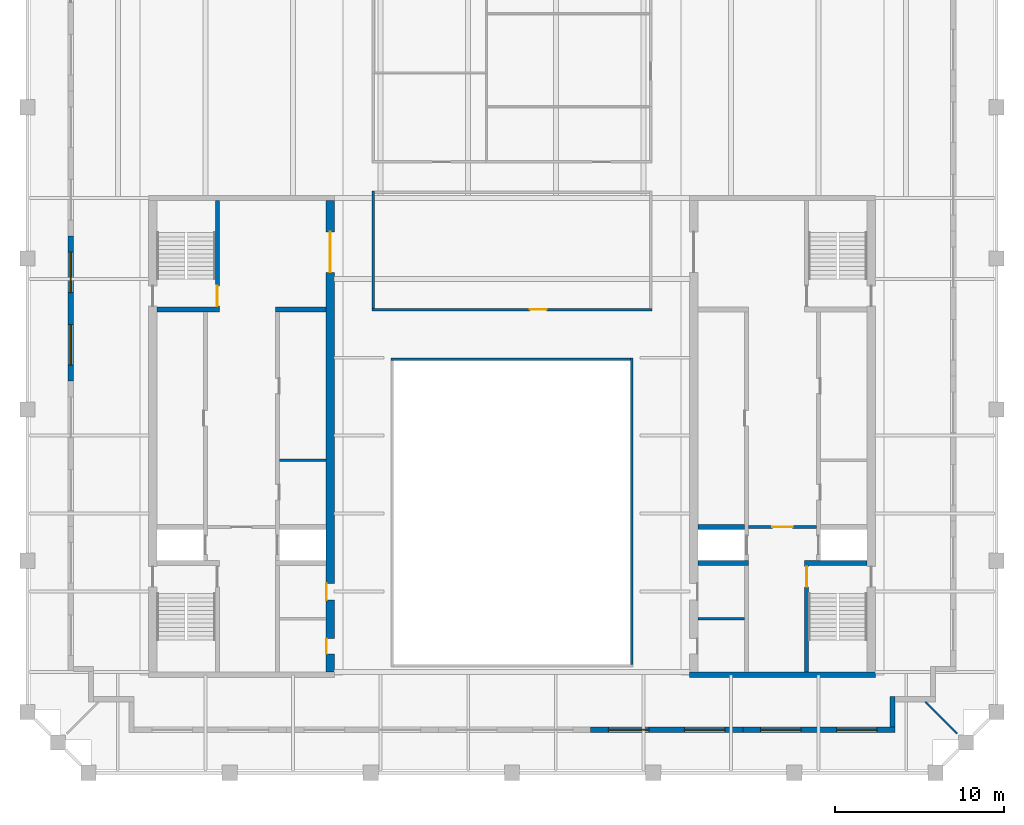
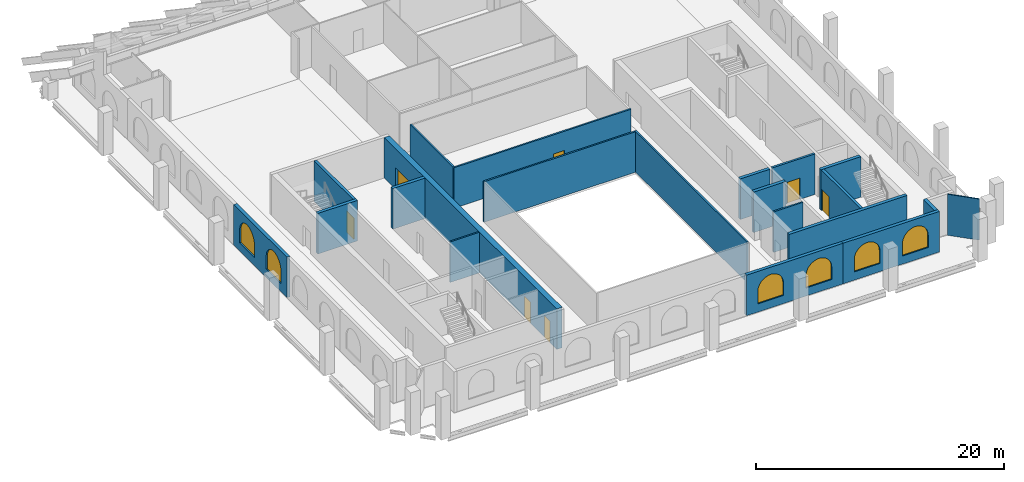
# One storey, part 4 of 9: 21 walls, 7 doors, 6 windows, 13 openings.
"""IFC4 building model written with IfcOpenShell, lengths in metres."""

from ifc_helpers import new_model, si_unit, direction, frame, frame_2d, origin, place, context, subcontext, project, spatial, polyline, rectangle, outline, extrude, material, layer, layer_set, type_object, element, fill, save


model = new_model("IFC4")

# Units and contexts
model_context = context("Model", 3, precision=1e-05, world=origin(), true_north=direction((0.0, 1.0)))
body_context = subcontext(model_context, "Body", "Model", "MODEL_VIEW")
ifc_project = project(units=[si_unit("LENGTHUNIT", "METRE"), si_unit("AREAUNIT", "SQUARE_METRE"), si_unit("VOLUMEUNIT", "CUBIC_METRE"), si_unit("PLANEANGLEUNIT", "RADIAN"), si_unit("MASSUNIT", "GRAM", prefix="KILO")], contexts=[model_context])

# Site, building, storey
site_placement = place(None, origin())
site = spatial("IfcSite", under=ifc_project, at=site_placement, CompositionType="ELEMENT")
building_placement = place(site_placement, origin())
building = spatial("IfcBuilding", under=site, at=building_placement, Name="Ogive Exchange Tower", CompositionType="ELEMENT")
storey_placement = place(building_placement, frame((0.0, 0.0, 373.199951171875)))
storey = spatial("IfcBuildingStorey", under=building, at=storey_placement, Name="C02", CompositionType="ELEMENT", Elevation=373.199951171875)

# Walls
ifc_material_1 = material(Name="Gypsum board partition")
ifc_layer_1 = layer(ifc_material_1, 0.14990234375)
ifc_layer_set_1 = layer_set([ifc_layer_1], Name="Core room partition 150 gypsum")
wall_type_1 = type_object("IfcWallType", Name="Core room partition 150 gypsum", PredefinedType="PARTITIONING", material=ifc_layer_set_1)
for number, where, z_axis, x_axis, name in (
    (1, (-13.75, 10.10009765625, 0.0), (0.0, 0.0, 1.0), (1.0, 0.0, 0.0), "W row B bay partition 1-1"),
    (2, (11.0, 0.699951171875, 0.0), (0.0, 0.0, 1.0), (1.0, 0.0, 0.0), "E south room partition"),
):
    element("IfcWall", number, at=place(storey_placement, frame(where, z_axis=z_axis, x_axis=x_axis)), inside=storey, type_object=wall_type_1, Name=name, PredefinedType="PARTITIONING", context=body_context, shape_type="SweptSolid", body=[
        extrude(rectangle(XDim=2.75, YDim=0.14990234375, at=frame_2d((1.375, 0.0))), origin(), (0.0, 0.0, 1.0), 4.0),
    ])
ifc_layer_2 = layer(ifc_material_1, 0.300048828125)
ifc_layer_set_2 = layer_set([ifc_layer_2], Name="Core room partition 300 gypsum")
wall_type_2 = type_object("IfcWallType", Name="Core room partition 300 gypsum", PredefinedType="PARTITIONING", material=ifc_layer_set_2)
wall_1_placement = place(storey_placement, frame((-14.0, 19.0, 0.0), z_axis=(0.0, 0.0, 1.0), x_axis=(1.0, 0.0, 0.0)))
element("IfcWall", 3, at=wall_1_placement, inside=storey, type_object=wall_type_2, Name="W row B room end wall 7", PredefinedType="PARTITIONING", context=body_context, shape_type="SweptSolid", body=[
    extrude(rectangle(XDim=3.0, YDim=0.300048828125, at=frame_2d((1.5, 0.0))), origin(), (0.0, 0.0, 1.0), 4.0),
])

# Wall, opening, door
ifc_material_2 = material(Name="Fire partition EI 60 150")
ifc_layer_3 = layer(ifc_material_2, 0.14990234375)
ifc_layer_set_3 = layer_set([ifc_layer_3], Name="Fire partition EI 60 150")
wall_type_3 = type_object("IfcWallType", Name="Fire partition EI 60 150", PredefinedType="PARTITIONING", material=ifc_layer_set_3)
wall_2_placement = place(storey_placement, frame((-8.27490234375, 19.0, 0.0), z_axis=(0.0, 0.0, 1.0), x_axis=(1.0, 0.0, 0.0)))
wall_2 = element("IfcWall", 4, at=wall_2_placement, inside=storey, type_object=wall_type_3, Name="C02-PWL-009", PredefinedType="PARTITIONING", context=body_context, shape_type="SweptSolid", body=[
    extrude(rectangle(XDim=16.5498046875, YDim=0.14990234375, at=frame_2d((8.27490234375, 0.0))), origin(), (0.0, 0.0, 1.0), 4.0),
])
opening_1_placement = place(wall_2_placement, frame((9.324951171875, 0.0, 0.0)))
opening_1 = element("IfcOpeningElement", 5, at=opening_1_placement, cuts=wall_2, Name="Opening C02-I11", PredefinedType="OPENING", context=body_context, shape_type="SweptSolid", body=[
    extrude(rectangle(XDim=1.0, YDim=2.10009765625, at=frame_2d((0.5, 1.050048828125))), frame((0.0, 0.0849609375, 0.0), z_axis=(0.0, -1.0, 0.0), x_axis=(1.0, 0.0, 0.0)), (0.0, 0.0, 1.0), 0.169921875),
])
ifc_material_3 = material(Name="Fire door FD 30S 1000 x 2100")
door_type_1 = type_object("IfcDoorType", Name="Fire door FD 30S 1000 x 2100", OperationType="NOTDEFINED", PredefinedType="DOOR", material=ifc_material_3)
door_1_placement = place(opening_1_placement, origin())
door_1 = element("IfcDoor", 6, at=door_1_placement, inside=storey, type_object=door_type_1, Name="C02-IDR-011", ObjectType="DT3", OperationType="SINGLE_SWING_LEFT", OverallHeight=2.10009765625, OverallWidth=1.0, PredefinedType="DOOR", context=body_context, shape_type="SweptSolid", body=[
    extrude(rectangle(XDim=1.0, YDim=2.10009765625, at=frame_2d((0.5, 1.050048828125))), frame((0.0, 0.02490234375, 0.0), z_axis=(0.0, -1.0, 0.0), x_axis=(1.0, 0.0, 0.0)), (0.0, 0.0, 1.0), 0.050048828125),
])
fill(opening_1, door_1)

# Walls
wall_3_placement = place(storey_placement, frame((-8.199951171875, 26.0048828125, 0.0), z_axis=(0.0, 0.0, 1.0), x_axis=(0.0, -1.0, 0.0)))
element("IfcWall", 7, at=wall_3_placement, inside=storey, type_object=wall_type_3, Name="C02-PWL-010", PredefinedType="PARTITIONING", context=body_context, shape_type="SweptSolid", body=[
    extrude(rectangle(XDim=6.929931640625, YDim=0.14990234375, at=frame_2d((3.46484375, 0.0))), origin(), (0.0, 0.0, 1.0), 4.0),
])
ifc_material_4 = material(Name="Fire-resisting glass in steel frame", Category="steel")
ifc_layer_4 = layer(ifc_material_4, 0.14990234375)
ifc_layer_set_4 = layer_set([ifc_layer_4], Name="Fire-rated glazed wall 150")
wall_type_4 = type_object("IfcWallType", Name="Fire-rated glazed wall 150", PredefinedType="STANDARD", material=ifc_layer_set_4)
wall_4_placement = place(storey_placement, frame((-7.14990234375, 16.074951171875, 0.0), z_axis=(0.0, 0.0, 1.0), x_axis=(1.0, 0.0, 0.0)))
element("IfcWall", 8, at=wall_4_placement, inside=storey, type_object=wall_type_4, Name="Nave enclosure wall 2", PredefinedType="STANDARD", context=body_context, shape_type="SweptSolid", body=[
    extrude(rectangle(XDim=14.14990234375, YDim=0.14990234375, at=frame_2d((7.074951171875, 0.0))), origin(), (0.0, 0.0, 1.0), 4.0),
])
wall_5_placement = place(storey_placement, frame((7.074951171875, 16.14990234375, 0.0), z_axis=(0.0, 0.0, 1.0), x_axis=(0.0, -1.0, 0.0)))
element("IfcWall", 9, at=wall_5_placement, inside=storey, type_object=wall_type_4, Name="Nave enclosure wall 3", PredefinedType="STANDARD", context=body_context, shape_type="SweptSolid", body=[
    extrude(rectangle(XDim=18.14990234375, YDim=0.14990234375, at=frame_2d((9.074951171875, 0.0))), origin(), (0.0, 0.0, 1.0), 4.0),
])
ifc_material_5 = material(Name="Laminated safety glass in steel frame", Category="steel")
ifc_layer_5 = layer(ifc_material_5, 0.10009765625)
ifc_layer_set_5 = layer_set([ifc_layer_5], Name="Loggia end screen 100")
wall_type_5 = type_object("IfcWallType", Name="Loggia end screen 100", PredefinedType="STANDARD", material=ifc_layer_set_5)
wall_6_placement = place(storey_placement, frame((24.449951171875, -4.199951171875, -0.050048828125), z_axis=(0.0, 0.0, 1.0), x_axis=(0.707106781187, -0.707106781187, 0.0)))
element("IfcWall", 10, at=wall_6_placement, inside=storey, type_object=wall_type_5, Name="Loggia end screen C1", PredefinedType="STANDARD", context=body_context, shape_type="SweptSolid", body=[
    extrude(rectangle(XDim=2.667236328125, YDim=0.10009765625, at=frame_2d((1.33349609375, 0.0))), origin(), (0.0, 0.0, 1.0), 4.050048828125),
])

# Wall, opening, door
ifc_material_6 = material(Name="Concrete C70/85", Category="concrete")
ifc_layer_6 = layer(ifc_material_6, 0.199951171875)
ifc_layer_set_6 = layer_set([ifc_layer_6], Name="RC core wall 200 C70/85")
wall_type_6 = type_object("IfcWallType", Name="RC core wall 200 C70/85", PredefinedType="SHEAR", material=ifc_layer_set_6)
wall_7_placement = place(storey_placement, frame((14.0, 6.142822265625, 0.0), z_axis=(0.0, 0.0, 1.0), x_axis=(1.0, 0.0, 0.0)))
wall_7 = element("IfcWall", 11, at=wall_7_placement, inside=storey, type_object=wall_type_6, Name="E firefighting lobby wall", PredefinedType="SHEAR", context=body_context, shape_type="SweptSolid", body=[
    extrude(rectangle(XDim=4.0, YDim=0.199951171875, at=frame_2d((2.0, 0.0))), origin(), (0.0, 0.0, 1.0), 4.0),
])
opening_2_placement = place(wall_7_placement, frame((1.39990234375, 0.0, 0.0)))
opening_2 = element("IfcOpeningElement", 12, at=opening_2_placement, cuts=wall_7, Name="Opening C02-C19", PredefinedType="OPENING", context=body_context, shape_type="SweptSolid", body=[
    extrude(rectangle(XDim=1.199951171875, YDim=2.10009765625, at=frame_2d((0.60009765625, 1.050048828125))), frame((0.0, 0.10986328125, 0.0), z_axis=(0.0, -1.0, 0.0), x_axis=(1.0, 0.0, 0.0)), (0.0, 0.0, 1.0), 0.219970703125),
])
ifc_material_7 = material(Name="Steel fire door", Category="steel")
door_type_2 = type_object("IfcDoorType", Name="Firefighting lobby door FD60 1200 x 2100", OperationType="NOTDEFINED", PredefinedType="DOOR", material=ifc_material_7)
door_2_placement = place(opening_2_placement, frame((1.199951171875, 0.0, 0.0), z_axis=(0.0, 0.0, 1.0), x_axis=(-1.0, 0.0, 0.0)))
door_2 = element("IfcDoor", 13, at=door_2_placement, inside=storey, type_object=door_type_2, Name="Firefighting lobby door", ObjectType="CD3", OperationType="SINGLE_SWING_RIGHT", OverallHeight=2.10009765625, OverallWidth=1.199951171875, PredefinedType="DOOR", context=body_context, shape_type="SweptSolid", body=[
    extrude(rectangle(XDim=1.199951171875, YDim=2.10009765625, at=frame_2d((0.60009765625, 1.050048828125))), frame((0.0, 0.02490234375, 0.0), z_axis=(0.0, -1.0, 0.0), x_axis=(1.0, 0.0, 0.0)), (0.0, 0.0, 1.0), 0.050048828125),
])
fill(opening_2, door_2)

ifc_layer_7 = layer(ifc_material_6, 0.25)
ifc_layer_set_7 = layer_set([ifc_layer_7], Name="RC core wall 250 C70/85")
wall_type_7 = type_object("IfcWallType", Name="RC core wall 250 C70/85", PredefinedType="SHEAR", material=ifc_layer_set_7)
wall_8_placement = place(storey_placement, frame((-17.425048828125, 19.14990234375, 0.0), z_axis=(0.0, 0.0, 1.0), x_axis=(0.0, 1.0, 0.0)))
wall_8 = element("IfcWall", 14, at=wall_8_placement, inside=storey, type_object=wall_type_7, Name="W stair N front wall", PredefinedType="SHEAR", context=body_context, shape_type="SweptSolid", body=[
    extrude(rectangle(XDim=6.300048828125, YDim=0.25, at=frame_2d((3.14990234375, 0.0))), origin(), (0.0, 0.0, 1.0), 4.0),
])
opening_3_placement = place(wall_8_placement, frame((0.050048828125, 0.0, 0.0)))
opening_3 = element("IfcOpeningElement", 15, at=opening_3_placement, cuts=wall_8, Name="Opening C02-C10", PredefinedType="OPENING", context=body_context, shape_type="SweptSolid", body=[
    extrude(rectangle(XDim=1.199951171875, YDim=2.10009765625, at=frame_2d((0.60009765625, 1.050048828125))), frame((0.0, 0.135009765625, 0.0), z_axis=(0.0, -1.0, 0.0), x_axis=(1.0, 0.0, 0.0)), (0.0, 0.0, 1.0), 0.27001953125),
])
door_type_3 = type_object("IfcDoorType", Name="Stair door FD90 1200 x 2100", OperationType="NOTDEFINED", PredefinedType="DOOR", material=ifc_material_7)
door_3_placement = place(opening_3_placement, origin())
door_3 = element("IfcDoor", 16, at=door_3_placement, inside=storey, type_object=door_type_3, Name="Stair door", ObjectType="CD5", OperationType="SINGLE_SWING_RIGHT", OverallHeight=2.10009765625, OverallWidth=1.199951171875, PredefinedType="DOOR", context=body_context, shape_type="SweptSolid", body=[
    extrude(rectangle(XDim=1.199951171875, YDim=2.10009765625, at=frame_2d((0.60009765625, 1.050048828125))), frame((0.0, 0.02490234375, 0.0), z_axis=(0.0, -1.0, 0.0), x_axis=(1.0, 0.0, 0.0)), (0.0, 0.0, 1.0), 0.050048828125),
])
fill(opening_3, door_3)

wall_9_placement = place(storey_placement, frame((17.425048828125, -2.449951171875, 0.0), z_axis=(0.0, 0.0, 1.0), x_axis=(0.0, 1.0, 0.0)))
wall_9 = element("IfcWall", 17, at=wall_9_placement, inside=storey, type_object=wall_type_7, Name="E stair S front wall", PredefinedType="SHEAR", context=body_context, shape_type="SweptSolid", body=[
    extrude(rectangle(XDim=6.300048828125, YDim=0.25, at=frame_2d((3.14990234375, 0.0))), origin(), (0.0, 0.0, 1.0), 4.0),
])
opening_4_placement = place(wall_9_placement, frame((5.050048828125, 0.0, 0.0)))
opening_4 = element("IfcOpeningElement", 18, at=opening_4_placement, cuts=wall_9, Name="Opening C02-C21", PredefinedType="OPENING", context=body_context, shape_type="SweptSolid", body=[
    extrude(rectangle(XDim=1.199951171875, YDim=2.10009765625, at=frame_2d((0.60009765625, 1.050048828125))), frame((0.0, 0.135009765625, 0.0), z_axis=(0.0, -1.0, 0.0), x_axis=(1.0, 0.0, 0.0)), (0.0, 0.0, 1.0), 0.27001953125),
])
door_4_placement = place(opening_4_placement, frame((1.199951171875, 0.0, 0.0), z_axis=(0.0, 0.0, 1.0), x_axis=(-1.0, 0.0, 0.0)))
door_4 = element("IfcDoor", 19, at=door_4_placement, inside=storey, type_object=door_type_3, Name="Stair door", ObjectType="CD5", OperationType="SINGLE_SWING_RIGHT", OverallHeight=2.10009765625, OverallWidth=1.199951171875, PredefinedType="DOOR", context=body_context, shape_type="SweptSolid", body=[
    extrude(rectangle(XDim=1.199951171875, YDim=2.10009765625, at=frame_2d((0.60009765625, 1.050048828125))), frame((0.0, 0.02490234375, 0.0), z_axis=(0.0, -1.0, 0.0), x_axis=(1.0, 0.0, 0.0)), (0.0, 0.0, 1.0), 0.050048828125),
])
fill(opening_4, door_4)

# Walls
ifc_layer_8 = layer(ifc_material_6, 0.300048828125)
ifc_layer_set_8 = layer_set([ifc_layer_8], Name="RC core wall 300 C70/85")
wall_type_8 = type_object("IfcWallType", Name="RC core wall 300 C70/85", PredefinedType="SHEAR", material=ifc_layer_set_8)
wall_10_placement = place(storey_placement, frame((-21.0, 19.0, 0.0), z_axis=(0.0, 0.0, 1.0), x_axis=(1.0, 0.0, 0.0)))
element("IfcWall", 20, at=wall_10_placement, inside=storey, type_object=wall_type_8, Name="W stair N south wall", PredefinedType="SHEAR", context=body_context, shape_type="SweptSolid", body=[
    extrude(rectangle(XDim=3.699951171875, YDim=0.300048828125, at=frame_2d((1.85009765625, 0.0))), origin(), (0.0, 0.0, 1.0), 4.0),
])
wall_11_placement = place(storey_placement, frame((10.5, -2.60009765625, 0.0), z_axis=(0.0, 0.0, 1.0), x_axis=(1.0, 0.0, 0.0)))
element("IfcWall", 21, at=wall_11_placement, inside=storey, type_object=wall_type_8, Name="E south end wall", PredefinedType="SHEAR", context=body_context, shape_type="SweptSolid", body=[
    extrude(rectangle(XDim=11.0, YDim=0.300048828125, at=frame_2d((5.5, 0.0))), origin(), (0.0, 0.0, 1.0), 4.0),
])
wall_12_placement = place(storey_placement, frame((17.300048828125, 4.0, 0.0), z_axis=(0.0, 0.0, 1.0), x_axis=(1.0, 0.0, 0.0)))
element("IfcWall", 22, at=wall_12_placement, inside=storey, type_object=wall_type_8, Name="E stair S north wall", PredefinedType="SHEAR", context=body_context, shape_type="SweptSolid", body=[
    extrude(rectangle(XDim=3.699951171875, YDim=0.300048828125, at=frame_2d((1.85009765625, 0.0))), origin(), (0.0, 0.0, 1.0), 4.0),
])
wall_13_placement = place(storey_placement, frame((11.0, 4.0, 0.0), z_axis=(0.0, 0.0, 1.0), x_axis=(1.0, 0.0, 0.0)))
element("IfcWall", 23, at=wall_13_placement, inside=storey, type_object=wall_type_8, Name="E row B divider 0", PredefinedType="SHEAR", context=body_context, shape_type="SweptSolid", body=[
    extrude(rectangle(XDim=3.0, YDim=0.300048828125, at=frame_2d((1.5, 0.0))), origin(), (0.0, 0.0, 1.0), 4.0),
])
wall_14_placement = place(storey_placement, frame((11.0, 6.142822265625, 0.0), z_axis=(0.0, 0.0, 1.0), x_axis=(1.0, 0.0, 0.0)))
element("IfcWall", 24, at=wall_14_placement, inside=storey, type_object=wall_type_8, Name="E row B divider 1", PredefinedType="SHEAR", context=body_context, shape_type="SweptSolid", body=[
    extrude(rectangle(XDim=2.75, YDim=0.300048828125, at=frame_2d((1.375, 0.0))), origin(), (0.0, 0.0, 1.0), 4.0),
])

# Wall, openings, doors
ifc_layer_9 = layer(ifc_material_6, 0.5)
ifc_layer_set_9 = layer_set([ifc_layer_9], Name="RC core wall 500 C70/85")
wall_type_9 = type_object("IfcWallType", Name="RC core wall 500 C70/85", PredefinedType="SHEAR", material=ifc_layer_set_9)
wall_15_placement = place(storey_placement, frame((-10.75, -2.449951171875, 0.0), z_axis=(0.0, 0.0, 1.0), x_axis=(0.0, 1.0, 0.0)))
wall_15 = element("IfcWall", 25, at=wall_15_placement, inside=storey, type_object=wall_type_9, Name="W inner wall", PredefinedType="SHEAR", context=body_context, shape_type="SweptSolid", body=[
    extrude(rectangle(XDim=27.89990234375, YDim=0.5, at=frame_2d((13.949951171875, 0.0))), origin(), (0.0, 0.0, 1.0), 4.0),
])
opening_5_placement = place(wall_15_placement, frame((23.64990234375, 0.0, 0.0)))
opening_5 = element("IfcOpeningElement", 26, at=opening_5_placement, cuts=wall_15, Name="Opening C02-C07", PredefinedType="OPENING", context=body_context, shape_type="SweptSolid", body=[
    extrude(rectangle(XDim=2.39990234375, YDim=2.10009765625, at=frame_2d((1.199951171875, 1.050048828125))), frame((0.0, 0.260009765625, 0.0), z_axis=(0.0, -1.0, 0.0), x_axis=(1.0, 0.0, 0.0)), (0.0, 0.0, 1.0), 0.52001953125),
])
opening_6_placement = place(wall_15_placement, frame((1.08740234375, 0.0, 0.0)))
opening_6 = element("IfcOpeningElement", 27, at=opening_6_placement, cuts=wall_15, Name="Opening C02-C12", PredefinedType="OPENING", context=body_context, shape_type="SweptSolid", body=[
    extrude(rectangle(XDim=0.89990234375, YDim=2.10009765625, at=frame_2d((0.449951171875, 1.050048828125))), frame((0.0, 0.260009765625, 0.0), z_axis=(0.0, -1.0, 0.0), x_axis=(1.0, 0.0, 0.0)), (0.0, 0.0, 1.0), 0.52001953125),
])
opening_7_placement = place(wall_15_placement, frame((4.262451171875, 0.0, 0.0)))
opening_7 = element("IfcOpeningElement", 28, at=opening_7_placement, cuts=wall_15, Name="Opening C02-C13", PredefinedType="OPENING", context=body_context, shape_type="SweptSolid", body=[
    extrude(rectangle(XDim=1.0, YDim=2.10009765625, at=frame_2d((0.5, 1.050048828125))), frame((0.0, 0.260009765625, 0.0), z_axis=(0.0, -1.0, 0.0), x_axis=(1.0, 0.0, 0.0)), (0.0, 0.0, 1.0), 0.52001953125),
])
ifc_material_8 = material(Name="Timber fire door", Category="wood")
door_type_4 = type_object("IfcDoorType", Name="Accessible WC door FD30S 1000 x 2100", OperationType="NOTDEFINED", PredefinedType="DOOR", material=ifc_material_8)
door_5_placement = place(opening_7_placement, frame((1.0, 0.4501953125, 0.0), z_axis=(0.0, 0.0, 1.0), x_axis=(-1.0, 0.0, 0.0)))
door_5 = element("IfcDoor", 29, at=door_5_placement, inside=storey, type_object=door_type_4, Name="Accessible WC door", ObjectType="CD7", OperationType="SINGLE_SWING_RIGHT", OverallHeight=2.10009765625, OverallWidth=1.0, PredefinedType="DOOR", context=body_context, shape_type="SweptSolid", body=[
    extrude(rectangle(XDim=1.0, YDim=2.10009765625, at=frame_2d((0.5, 1.050048828125))), frame((0.0, 0.25, 0.0), z_axis=(0.0, -1.0, 0.0), x_axis=(1.0, 0.0, 0.0)), (0.0, 0.0, 1.0), 0.050048828125),
])
fill(opening_7, door_5)
door_type_5 = type_object("IfcDoorType", Name="Core room door FD30S 900 x 2100", OperationType="NOTDEFINED", PredefinedType="DOOR", material=ifc_material_8)
door_6_placement = place(opening_6_placement, frame((0.89990234375, 0.4501953125, 0.0), z_axis=(0.0, 0.0, 1.0), x_axis=(-1.0, 0.0, 0.0)))
door_6 = element("IfcDoor", 30, at=door_6_placement, inside=storey, type_object=door_type_5, Name="Core room door", ObjectType="CD6", OperationType="SINGLE_SWING_RIGHT", OverallHeight=2.10009765625, OverallWidth=0.89990234375, PredefinedType="DOOR", context=body_context, shape_type="SweptSolid", body=[
    extrude(rectangle(XDim=0.89990234375, YDim=2.10009765625, at=frame_2d((0.449951171875, 1.050048828125))), frame((0.0, 0.25, 0.0), z_axis=(0.0, -1.0, 0.0), x_axis=(1.0, 0.0, 0.0)), (0.0, 0.0, 1.0), 0.050048828125),
])
fill(opening_6, door_6)
ifc_material_9 = material(Name="Glazed steel fire door", Category="steel")
door_type_6 = type_object("IfcDoorType", Name="Lift lobby double door FD60 2400 x 2100", OperationType="DOUBLE_DOOR_SINGLE_SWING", PredefinedType="DOOR", material=ifc_material_9)
door_7_placement = place(opening_5_placement, frame((2.39990234375, 0.0, 0.0), z_axis=(0.0, 0.0, 1.0), x_axis=(-1.0, 0.0, 0.0)))
door_7 = element("IfcDoor", 31, at=door_7_placement, inside=storey, type_object=door_type_6, Name="Lift lobby double door", ObjectType="CD4", OperationType="DOUBLE_DOOR_SINGLE_SWING", OverallHeight=2.10009765625, OverallWidth=2.39990234375, PredefinedType="DOOR", context=body_context, shape_type="SweptSolid", body=[
    extrude(rectangle(XDim=2.39990234375, YDim=2.10009765625, at=frame_2d((1.199951171875, 1.050048828125))), frame((0.0, 0.02490234375, 0.0), z_axis=(0.0, -1.0, 0.0), x_axis=(1.0, 0.0, 0.0)), (0.0, 0.0, 1.0), 0.050048828125),
])
fill(opening_5, door_7)

# Wall, openings, windows
ifc_material_10 = material(Name="Precast concrete C40/50", Category="concrete")
ifc_layer_10 = layer(ifc_material_10, 0.300048828125)
ifc_layer_set_10 = layer_set([ifc_layer_10], Name="Zinc-clad crown wall 300")
wall_type_10 = type_object("IfcWallType", Name="Zinc-clad crown wall 300", PredefinedType="STANDARD", material=ifc_layer_set_10)
wall_16_placement = place(storey_placement, frame((4.64990234375, -5.85009765625, 0.0), z_axis=(0.0, 0.0, 1.0), x_axis=(1.0, 0.0, 0.0)))
wall_16 = element("IfcWall", 32, at=wall_16_placement, inside=storey, type_object=wall_type_10, Name="Crown wall 7", PredefinedType="STANDARD", context=body_context, shape_type="SweptSolid", body=[
    extrude(rectangle(XDim=9.0, YDim=0.300048828125, at=frame_2d((4.5, 0.0))), origin(), (0.0, 0.0, 1.0), 4.0),
])
opening_8_placement = place(wall_16_placement, frame((1.050048828125, 0.0, 0.800048828125)))
opening_8 = element("IfcOpeningElement", 33, at=opening_8_placement, cuts=wall_16, Name="Opening WC25", PredefinedType="OPENING", context=body_context, shape_type="SweptSolid", body=[
    extrude(outline(polyline([(0.0, 0.0), (2.39990234375, 0.0), (2.39990234375, 1.25), (2.377197265625, 1.48779296875), (2.3095703125, 1.717041015625), (2.19970703125, 1.928955078125), (2.05126953125, 2.116455078125), (1.8701171875, 2.272216796875), (1.662841796875, 2.390625), (1.4365234375, 2.467529296875), (1.199951171875, 2.5), (0.96337890625, 2.467529296875), (0.737060546875, 2.390625), (0.52978515625, 2.272216796875), (0.3486328125, 2.116455078125), (0.2001953125, 1.928955078125), (0.09033203125, 1.717041015625), (0.022705078125, 1.48779296875), (0.0, 1.25), (0.0, 0.0)])), frame((0.0, 0.159912109375, 0.0), z_axis=(0.0, -1.0, 0.0), x_axis=(1.0, 0.0, 0.0)), (0.0, 0.0, 1.0), 0.320068359375),
])
opening_9_placement = place(wall_16_placement, frame((5.550048828125, 0.0, 0.800048828125)))
opening_9 = element("IfcOpeningElement", 34, at=opening_9_placement, cuts=wall_16, Name="Opening WC25", PredefinedType="OPENING", context=body_context, shape_type="SweptSolid", body=[
    extrude(outline(polyline([(0.0, 0.0), (2.39990234375, 0.0), (2.39990234375, 1.25), (2.377197265625, 1.48779296875), (2.3095703125, 1.717041015625), (2.19970703125, 1.928955078125), (2.05126953125, 2.116455078125), (1.8701171875, 2.272216796875), (1.662841796875, 2.390625), (1.4365234375, 2.467529296875), (1.199951171875, 2.5), (0.96337890625, 2.467529296875), (0.737060546875, 2.390625), (0.52978515625, 2.272216796875), (0.3486328125, 2.116455078125), (0.2001953125, 1.928955078125), (0.09033203125, 1.717041015625), (0.022705078125, 1.48779296875), (0.0, 1.25), (0.0, 0.0)])), frame((0.0, 0.159912109375, 0.0), z_axis=(0.0, -1.0, 0.0), x_axis=(1.0, 0.0, 0.0)), (0.0, 0.0, 1.0), 0.320068359375),
])
ifc_material_11 = material(Name="Clear glass in bronze frame", Category="glass")
window_type = type_object("IfcWindowType", Name="Crown lancet window 2400 x 2500", PartitioningType="DOUBLE_PANEL_VERTICAL", PredefinedType="WINDOW", material=ifc_material_11)
window_1_placement = place(opening_8_placement, origin())
window_1 = element("IfcWindow", 35, at=window_1_placement, inside=storey, type_object=window_type, Name="Crown lancet 7.1", OverallHeight=2.5, OverallWidth=2.39990234375, PartitioningType="DOUBLE_PANEL_VERTICAL", PredefinedType="WINDOW", context=body_context, shape_type="SweptSolid", body=[
    extrude(outline(polyline([(0.0, 0.0), (2.39990234375, 0.0), (2.39990234375, 1.25), (2.377197265625, 1.48779296875), (2.3095703125, 1.717041015625), (2.19970703125, 1.928955078125), (2.05126953125, 2.116455078125), (1.8701171875, 2.272216796875), (1.662841796875, 2.390625), (1.4365234375, 2.467529296875), (1.199951171875, 2.5), (0.96337890625, 2.467529296875), (0.737060546875, 2.390625), (0.52978515625, 2.272216796875), (0.3486328125, 2.116455078125), (0.2001953125, 1.928955078125), (0.09033203125, 1.717041015625), (0.022705078125, 1.48779296875), (0.0, 1.25), (0.0, 0.0)])), frame((0.0, 0.030029296875, 0.0), z_axis=(0.0, -1.0, 0.0), x_axis=(1.0, 0.0, 0.0)), (0.0, 0.0, 1.0), 0.06005859375),
])
fill(opening_8, window_1)
window_2_placement = place(opening_9_placement, origin())
window_2 = element("IfcWindow", 36, at=window_2_placement, inside=storey, type_object=window_type, Name="Crown lancet 7.2", OverallHeight=2.5, OverallWidth=2.39990234375, PartitioningType="DOUBLE_PANEL_VERTICAL", PredefinedType="WINDOW", context=body_context, shape_type="SweptSolid", body=[
    extrude(outline(polyline([(0.0, 0.0), (2.39990234375, 0.0), (2.39990234375, 1.25), (2.377197265625, 1.48779296875), (2.3095703125, 1.717041015625), (2.19970703125, 1.928955078125), (2.05126953125, 2.116455078125), (1.8701171875, 2.272216796875), (1.662841796875, 2.390625), (1.4365234375, 2.467529296875), (1.199951171875, 2.5), (0.96337890625, 2.467529296875), (0.737060546875, 2.390625), (0.52978515625, 2.272216796875), (0.3486328125, 2.116455078125), (0.2001953125, 1.928955078125), (0.09033203125, 1.717041015625), (0.022705078125, 1.48779296875), (0.0, 1.25), (0.0, 0.0)])), frame((0.0, 0.030029296875, 0.0), z_axis=(0.0, -1.0, 0.0), x_axis=(1.0, 0.0, 0.0)), (0.0, 0.0, 1.0), 0.06005859375),
])
fill(opening_9, window_2)

wall_17_placement = place(storey_placement, frame((13.64990234375, -5.85009765625, 0.0), z_axis=(0.0, 0.0, 1.0), x_axis=(1.0, 0.0, 0.0)))
wall_17 = element("IfcWall", 37, at=wall_17_placement, inside=storey, type_object=wall_type_10, Name="Crown wall 8", PredefinedType="STANDARD", context=body_context, shape_type="SweptSolid", body=[
    extrude(rectangle(XDim=9.0, YDim=0.300048828125, at=frame_2d((4.5, 0.0))), origin(), (0.0, 0.0, 1.0), 4.0),
])
opening_10_placement = place(wall_17_placement, frame((1.050048828125, 0.0, 0.800048828125)))
opening_10 = element("IfcOpeningElement", 38, at=opening_10_placement, cuts=wall_17, Name="Opening WC25", PredefinedType="OPENING", context=body_context, shape_type="SweptSolid", body=[
    extrude(outline(polyline([(0.0, 0.0), (2.39990234375, 0.0), (2.39990234375, 1.25), (2.377197265625, 1.48779296875), (2.3095703125, 1.717041015625), (2.19970703125, 1.928955078125), (2.05126953125, 2.116455078125), (1.8701171875, 2.272216796875), (1.662841796875, 2.390625), (1.4365234375, 2.467529296875), (1.199951171875, 2.5), (0.96337890625, 2.467529296875), (0.737060546875, 2.390625), (0.52978515625, 2.272216796875), (0.3486328125, 2.116455078125), (0.2001953125, 1.928955078125), (0.09033203125, 1.717041015625), (0.022705078125, 1.48779296875), (0.0, 1.25), (0.0, 0.0)])), frame((0.0, 0.159912109375, 0.0), z_axis=(0.0, -1.0, 0.0), x_axis=(1.0, 0.0, 0.0)), (0.0, 0.0, 1.0), 0.320068359375),
])
opening_11_placement = place(wall_17_placement, frame((5.550048828125, 0.0, 0.800048828125)))
opening_11 = element("IfcOpeningElement", 39, at=opening_11_placement, cuts=wall_17, Name="Opening WC25", PredefinedType="OPENING", context=body_context, shape_type="SweptSolid", body=[
    extrude(outline(polyline([(0.0, 0.0), (2.39990234375, 0.0), (2.39990234375, 1.25), (2.377197265625, 1.48779296875), (2.3095703125, 1.717041015625), (2.19970703125, 1.928955078125), (2.05126953125, 2.116455078125), (1.8701171875, 2.272216796875), (1.662841796875, 2.390625), (1.4365234375, 2.467529296875), (1.199951171875, 2.5), (0.96337890625, 2.467529296875), (0.737060546875, 2.390625), (0.52978515625, 2.272216796875), (0.3486328125, 2.116455078125), (0.2001953125, 1.928955078125), (0.09033203125, 1.717041015625), (0.022705078125, 1.48779296875), (0.0, 1.25), (0.0, 0.0)])), frame((0.0, 0.159912109375, 0.0), z_axis=(0.0, -1.0, 0.0), x_axis=(1.0, 0.0, 0.0)), (0.0, 0.0, 1.0), 0.320068359375),
])
window_3_placement = place(opening_10_placement, origin())
window_3 = element("IfcWindow", 40, at=window_3_placement, inside=storey, type_object=window_type, Name="Crown lancet 8.1", OverallHeight=2.5, OverallWidth=2.39990234375, PartitioningType="DOUBLE_PANEL_VERTICAL", PredefinedType="WINDOW", context=body_context, shape_type="SweptSolid", body=[
    extrude(outline(polyline([(0.0, 0.0), (2.39990234375, 0.0), (2.39990234375, 1.25), (2.377197265625, 1.48779296875), (2.3095703125, 1.717041015625), (2.19970703125, 1.928955078125), (2.05126953125, 2.116455078125), (1.8701171875, 2.272216796875), (1.662841796875, 2.390625), (1.4365234375, 2.467529296875), (1.199951171875, 2.5), (0.96337890625, 2.467529296875), (0.737060546875, 2.390625), (0.52978515625, 2.272216796875), (0.3486328125, 2.116455078125), (0.2001953125, 1.928955078125), (0.09033203125, 1.717041015625), (0.022705078125, 1.48779296875), (0.0, 1.25), (0.0, 0.0)])), frame((0.0, 0.030029296875, 0.0), z_axis=(0.0, -1.0, 0.0), x_axis=(1.0, 0.0, 0.0)), (0.0, 0.0, 1.0), 0.06005859375),
])
fill(opening_10, window_3)
window_4_placement = place(opening_11_placement, origin())
window_4 = element("IfcWindow", 41, at=window_4_placement, inside=storey, type_object=window_type, Name="Crown lancet 8.2", OverallHeight=2.5, OverallWidth=2.39990234375, PartitioningType="DOUBLE_PANEL_VERTICAL", PredefinedType="WINDOW", context=body_context, shape_type="SweptSolid", body=[
    extrude(outline(polyline([(0.0, 0.0), (2.39990234375, 0.0), (2.39990234375, 1.25), (2.377197265625, 1.48779296875), (2.3095703125, 1.717041015625), (2.19970703125, 1.928955078125), (2.05126953125, 2.116455078125), (1.8701171875, 2.272216796875), (1.662841796875, 2.390625), (1.4365234375, 2.467529296875), (1.199951171875, 2.5), (0.96337890625, 2.467529296875), (0.737060546875, 2.390625), (0.52978515625, 2.272216796875), (0.3486328125, 2.116455078125), (0.2001953125, 1.928955078125), (0.09033203125, 1.717041015625), (0.022705078125, 1.48779296875), (0.0, 1.25), (0.0, 0.0)])), frame((0.0, 0.030029296875, 0.0), z_axis=(0.0, -1.0, 0.0), x_axis=(1.0, 0.0, 0.0)), (0.0, 0.0, 1.0), 0.06005859375),
])
fill(opening_11, window_4)

# Wall
wall_18_placement = place(storey_placement, frame((22.5, -5.699951171875, 0.0), z_axis=(0.0, 0.0, 1.0), x_axis=(0.0, 1.0, 0.0)))
element("IfcWall", 42, at=wall_18_placement, inside=storey, type_object=wall_type_10, Name="Crown wall 9", PredefinedType="STANDARD", context=body_context, shape_type="SweptSolid", body=[
    extrude(rectangle(XDim=1.800048828125, YDim=0.300048828125, at=frame_2d((0.89990234375, 0.0))), origin(), (0.0, 0.0, 1.0), 4.0),
])

# Wall, openings, windows
wall_19_placement = place(storey_placement, frame((-26.10009765625, 23.35009765625, 0.0), z_axis=(0.0, 0.0, 1.0), x_axis=(0.0, -1.0, 0.0)))
wall_19 = element("IfcWall", 43, at=wall_19_placement, inside=storey, type_object=wall_type_10, Name="Crown wall 31", PredefinedType="STANDARD", context=body_context, shape_type="SweptSolid", body=[
    extrude(rectangle(XDim=8.58349609375, YDim=0.300048828125, at=frame_2d((4.291748046875, 0.0))), origin(), (0.0, 0.0, 1.0), 4.0),
])
opening_12_placement = place(wall_19_placement, frame((0.94580078125, 0.0, 0.800048828125)))
opening_12 = element("IfcOpeningElement", 44, at=opening_12_placement, cuts=wall_19, Name="Opening WC25", PredefinedType="OPENING", context=body_context, shape_type="SweptSolid", body=[
    extrude(outline(polyline([(0.0, 0.0), (2.39990234375, 0.0), (2.39990234375, 1.25), (2.377197265625, 1.48779296875), (2.3095703125, 1.717041015625), (2.19970703125, 1.928955078125), (2.05126953125, 2.116455078125), (1.8701171875, 2.272216796875), (1.662841796875, 2.390625), (1.4365234375, 2.467529296875), (1.199951171875, 2.5), (0.96337890625, 2.467529296875), (0.737060546875, 2.390625), (0.52978515625, 2.272216796875), (0.3486328125, 2.116455078125), (0.2001953125, 1.928955078125), (0.09033203125, 1.717041015625), (0.022705078125, 1.48779296875), (0.0, 1.25), (0.0, 0.0)])), frame((0.0, 0.159912109375, 0.0), z_axis=(0.0, -1.0, 0.0), x_axis=(1.0, 0.0, 0.0)), (0.0, 0.0, 1.0), 0.320068359375),
])
opening_13_placement = place(wall_19_placement, frame((5.237548828125, 0.0, 0.800048828125)))
opening_13 = element("IfcOpeningElement", 45, at=opening_13_placement, cuts=wall_19, Name="Opening WC25", PredefinedType="OPENING", context=body_context, shape_type="SweptSolid", body=[
    extrude(outline(polyline([(0.0, 0.0), (2.39990234375, 0.0), (2.39990234375, 1.25), (2.377197265625, 1.48779296875), (2.3095703125, 1.717041015625), (2.19970703125, 1.928955078125), (2.05126953125, 2.116455078125), (1.8701171875, 2.272216796875), (1.662841796875, 2.390625), (1.4365234375, 2.467529296875), (1.199951171875, 2.5), (0.96337890625, 2.467529296875), (0.737060546875, 2.390625), (0.52978515625, 2.272216796875), (0.3486328125, 2.116455078125), (0.2001953125, 1.928955078125), (0.09033203125, 1.717041015625), (0.022705078125, 1.48779296875), (0.0, 1.25), (0.0, 0.0)])), frame((0.0, 0.159912109375, 0.0), z_axis=(0.0, -1.0, 0.0), x_axis=(1.0, 0.0, 0.0)), (0.0, 0.0, 1.0), 0.320068359375),
])
window_5_placement = place(opening_12_placement, origin())
window_5 = element("IfcWindow", 46, at=window_5_placement, inside=storey, type_object=window_type, Name="Crown lancet 31.1", OverallHeight=2.5, OverallWidth=2.39990234375, PartitioningType="DOUBLE_PANEL_VERTICAL", PredefinedType="WINDOW", context=body_context, shape_type="SweptSolid", body=[
    extrude(outline(polyline([(0.0, 0.0), (2.39990234375, 0.0), (2.39990234375, 1.25), (2.377197265625, 1.48779296875), (2.3095703125, 1.717041015625), (2.19970703125, 1.928955078125), (2.05126953125, 2.116455078125), (1.8701171875, 2.272216796875), (1.662841796875, 2.390625), (1.4365234375, 2.467529296875), (1.199951171875, 2.5), (0.96337890625, 2.467529296875), (0.737060546875, 2.390625), (0.52978515625, 2.272216796875), (0.3486328125, 2.116455078125), (0.2001953125, 1.928955078125), (0.09033203125, 1.717041015625), (0.022705078125, 1.48779296875), (0.0, 1.25), (0.0, 0.0)])), frame((0.0, 0.030029296875, 0.0), z_axis=(0.0, -1.0, 0.0), x_axis=(1.0, 0.0, 0.0)), (0.0, 0.0, 1.0), 0.06005859375),
])
fill(opening_12, window_5)
window_6_placement = place(opening_13_placement, origin())
window_6 = element("IfcWindow", 47, at=window_6_placement, inside=storey, type_object=window_type, Name="Crown lancet 31.2", OverallHeight=2.5, OverallWidth=2.39990234375, PartitioningType="DOUBLE_PANEL_VERTICAL", PredefinedType="WINDOW", context=body_context, shape_type="SweptSolid", body=[
    extrude(outline(polyline([(0.0, 0.0), (2.39990234375, 0.0), (2.39990234375, 1.25), (2.377197265625, 1.48779296875), (2.3095703125, 1.717041015625), (2.19970703125, 1.928955078125), (2.05126953125, 2.116455078125), (1.8701171875, 2.272216796875), (1.662841796875, 2.390625), (1.4365234375, 2.467529296875), (1.199951171875, 2.5), (0.96337890625, 2.467529296875), (0.737060546875, 2.390625), (0.52978515625, 2.272216796875), (0.3486328125, 2.116455078125), (0.2001953125, 1.928955078125), (0.09033203125, 1.717041015625), (0.022705078125, 1.48779296875), (0.0, 1.25), (0.0, 0.0)])), frame((0.0, 0.030029296875, 0.0), z_axis=(0.0, -1.0, 0.0), x_axis=(1.0, 0.0, 0.0)), (0.0, 0.0, 1.0), 0.06005859375),
])
fill(opening_13, window_6)

save(model, "model.ifc")
